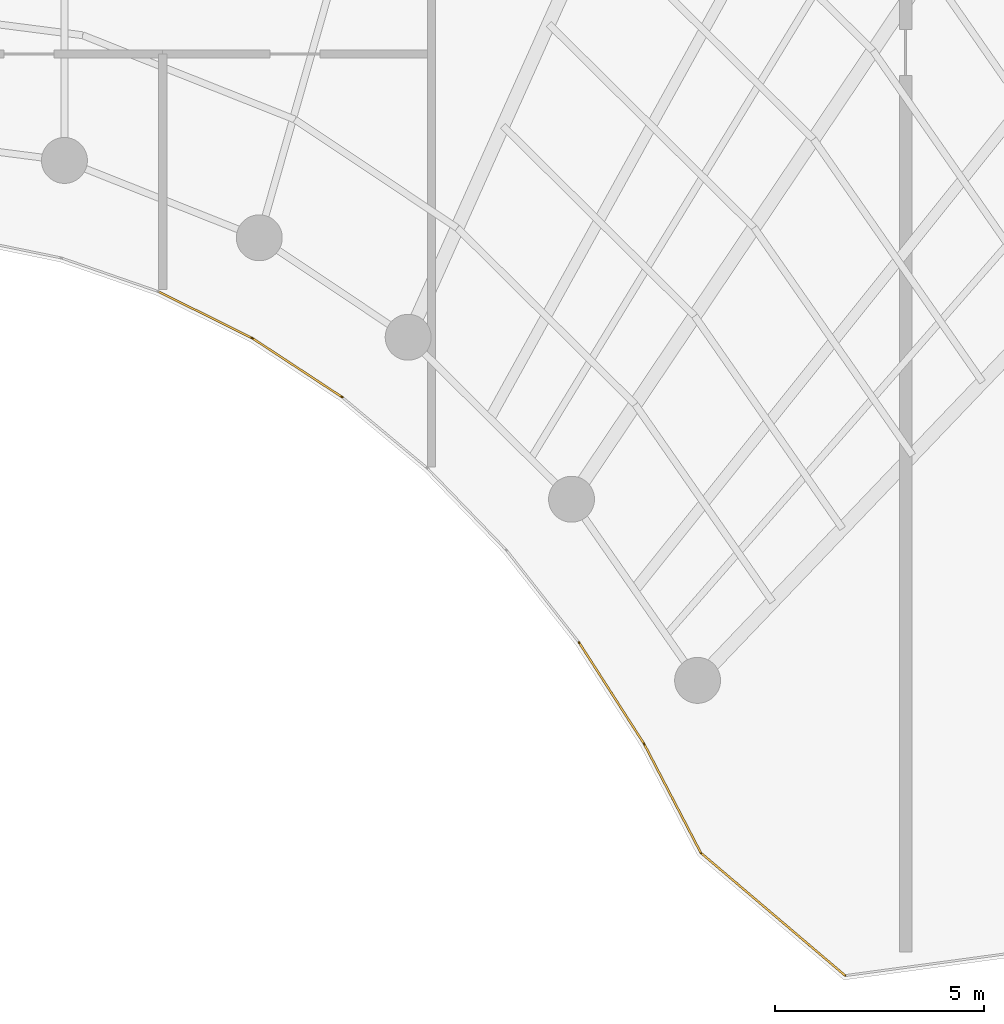
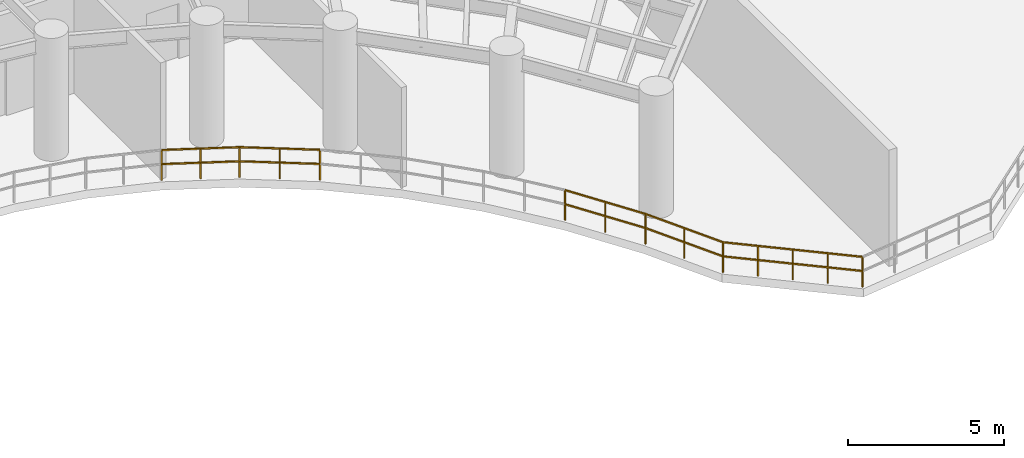
# One storey, part 14 of 19: 9 railings.
"""IFC4 building model written with IfcOpenShell, lengths in metres."""

from ifc_helpers import new_model, si_unit, direction, frame, origin, origin_2d, place, context, subcontext, project, spatial, rectangle, extrude, material, type_object, element, save


model = new_model("IFC4")

# Units and contexts
model_context = context("Model", 3, precision=1e-05, world=origin(), true_north=direction((0.0, 1.0)))
body_context = subcontext(model_context, "Body", "Model", "MODEL_VIEW")
ifc_project = project(units=[si_unit("LENGTHUNIT", "METRE"), si_unit("AREAUNIT", "SQUARE_METRE"), si_unit("VOLUMEUNIT", "CUBIC_METRE"), si_unit("PLANEANGLEUNIT", "RADIAN"), si_unit("MASSUNIT", "GRAM", prefix="KILO")], contexts=[model_context])

# Site, building, storey
site_placement = place(None, origin())
site = spatial("IfcSite", under=ifc_project, at=site_placement, CompositionType="ELEMENT")
building_placement = place(site_placement, origin())
building = spatial("IfcBuilding", under=site, at=building_placement, Name="Breltana Convention Tower", CompositionType="ELEMENT")
storey_placement = place(building_placement, frame((0.0, 0.0, 194.39990234375)))
storey = spatial("IfcBuildingStorey", under=building, at=storey_placement, Name="L47", CompositionType="ELEMENT", Elevation=194.39990234375)

# Railings
ifc_material = material(Name="Stainless Steel 316L", Category="steel")
railing_type = type_object("IfcRailingType", Name="RL-WIND-GUARD-1200", PredefinedType="BALUSTRADE", material=ifc_material)
railing_1_placement = place(storey_placement, frame((71.552001953125, 35.881591796875, 0.0)))
element("IfcRailing", 1, at=railing_1_placement, inside=storey, type_object=railing_type, Name="L47 perimeter balustrade 5", PredefinedType="BALUSTRADE", context=body_context, shape_type="SweptSolid", body=[
    extrude(rectangle(XDim=0.048095703125, YDim=0.048095703125, at=origin_2d()), frame((0.0, 0.0, 1.17578125), z_axis=(-0.761888889081, 0.647707743273, 0.0), x_axis=(-0.647707743273, -0.761888889081, 0.0)), (0.0, 0.0, 1.0), 4.539306640625),
    extrude(rectangle(XDim=0.048095703125, YDim=0.048095703125, at=origin_2d()), frame((0.0, 0.0, 0.6240234375), z_axis=(-0.761888889081, 0.647707743273, 0.0), x_axis=(-0.647707743273, -0.761888889081, 0.0)), (0.0, 0.0, 1.0), 4.539306640625),
    extrude(rectangle(XDim=0.0419921875, YDim=0.0419921875, at=origin_2d()), origin(), (0.0, 0.0, 1.0), 1.15185546875),
    extrude(rectangle(XDim=0.0419921875, YDim=0.0419921875, at=origin_2d()), frame((-0.86474609375, 0.735107421875, 0.0)), (0.0, 0.0, 1.0), 1.15185546875),
    extrude(rectangle(XDim=0.0419921875, YDim=0.0419921875, at=origin_2d()), frame((-1.729248046875, 1.47021484375, 0.0)), (0.0, 0.0, 1.0), 1.15185546875),
    extrude(rectangle(XDim=0.0419921875, YDim=0.0419921875, at=origin_2d()), frame((-2.59375, 2.205078125, 0.0)), (0.0, 0.0, 1.0), 1.15185546875),
    extrude(rectangle(XDim=0.0419921875, YDim=0.0419921875, at=origin_2d()), frame((-3.45849609375, 2.940185546875, 0.0)), (0.0, 0.0, 1.0), 1.15185546875),
])
railing_2_placement = place(storey_placement, frame((68.093505859375, 38.82177734375, 0.0)))
element("IfcRailing", 2, at=railing_2_placement, inside=storey, type_object=railing_type, Name="L47 perimeter balustrade 6", PredefinedType="BALUSTRADE", context=body_context, shape_type="SweptSolid", body=[
    extrude(rectangle(XDim=0.048095703125, YDim=0.048095703125, at=origin_2d()), frame((0.0, 0.0, 1.17578125), z_axis=(-0.461773777633, 0.886997732968, 0.0), x_axis=(-0.886997732968, -0.461773777633, 0.0)), (0.0, 0.0, 1.0), 2.93896484375),
    extrude(rectangle(XDim=0.048095703125, YDim=0.048095703125, at=origin_2d()), frame((0.0, 0.0, 0.6240234375), z_axis=(-0.461773777633, 0.886997732968, 0.0), x_axis=(-0.886997732968, -0.461773777633, 0.0)), (0.0, 0.0, 1.0), 2.93896484375),
    extrude(rectangle(XDim=0.0419921875, YDim=0.0419921875, at=origin_2d()), origin(), (0.0, 0.0, 1.0), 1.15185546875),
    extrude(rectangle(XDim=0.0419921875, YDim=0.0419921875, at=origin_2d()), frame((-0.6787109375, 1.303466796875, 0.0)), (0.0, 0.0, 1.0), 1.15185546875),
    extrude(rectangle(XDim=0.0419921875, YDim=0.0419921875, at=origin_2d()), frame((-1.357177734375, 2.60693359375, 0.0)), (0.0, 0.0, 1.0), 1.15185546875),
])
railing_3_placement = place(storey_placement, frame((66.736328125, 41.4287109375, 0.0)))
element("IfcRailing", 3, at=railing_3_placement, inside=storey, type_object=railing_type, Name="L47 perimeter balustrade 7", PredefinedType="BALUSTRADE", context=body_context, shape_type="SweptSolid", body=[
    extrude(rectangle(XDim=0.048095703125, YDim=0.048095703125, at=origin_2d()), frame((0.0, 0.0, 1.17578125), z_axis=(-0.490261239633, 0.871575537125, 0.0), x_axis=(-0.871575537125, -0.490261239633, 0.0)), (0.0, 0.0, 1.0), 0.009033203125),
    extrude(rectangle(XDim=0.048095703125, YDim=0.048095703125, at=origin_2d()), frame((0.0, 0.0, 0.6240234375), z_axis=(-0.490261239633, 0.871575537125, 0.0), x_axis=(-0.871575537125, -0.490261239633, 0.0)), (0.0, 0.0, 1.0), 0.009033203125),
    extrude(rectangle(XDim=0.0419921875, YDim=0.0419921875, at=origin_2d()), origin(), (0.0, 0.0, 1.0), 1.15185546875),
    extrude(rectangle(XDim=0.0419921875, YDim=0.0419921875, at=origin_2d()), frame((-0.00439453125, 0.0078125, 0.0)), (0.0, 0.0, 1.0), 1.15185546875),
])
railing_4_placement = place(storey_placement, frame((66.73193359375, 41.4365234375, 0.0)))
element("IfcRailing", 4, at=railing_4_placement, inside=storey, type_object=railing_type, Name="L47 perimeter balustrade 8", PredefinedType="BALUSTRADE", context=body_context, shape_type="SweptSolid", body=[
    extrude(rectangle(XDim=0.048095703125, YDim=0.048095703125, at=origin_2d()), frame((0.0, 0.0, 1.17578125), z_axis=(-0.540153919995, 0.841566243806, 0.0), x_axis=(-0.841566243806, -0.540153919995, 0.0)), (0.0, 0.0, 1.0), 2.8828125),
    extrude(rectangle(XDim=0.048095703125, YDim=0.048095703125, at=origin_2d()), frame((0.0, 0.0, 0.6240234375), z_axis=(-0.540153919995, 0.841566243806, 0.0), x_axis=(-0.841566243806, -0.540153919995, 0.0)), (0.0, 0.0, 1.0), 2.8828125),
    extrude(rectangle(XDim=0.0419921875, YDim=0.0419921875, at=origin_2d()), origin(), (0.0, 0.0, 1.0), 1.15185546875),
    extrude(rectangle(XDim=0.0419921875, YDim=0.0419921875, at=origin_2d()), frame((-0.778564453125, 1.212890625, 0.0)), (0.0, 0.0, 1.0), 1.15185546875),
    extrude(rectangle(XDim=0.0419921875, YDim=0.0419921875, at=origin_2d()), frame((-1.55712890625, 2.426025390625, 0.0)), (0.0, 0.0, 1.0), 1.15185546875),
])
railing_5_placement = place(storey_placement, frame((65.1748046875, 43.862548828125, 0.0)))
element("IfcRailing", 5, at=railing_5_placement, inside=storey, type_object=railing_type, Name="L47 perimeter balustrade 9", PredefinedType="BALUSTRADE", context=body_context, shape_type="SweptSolid", body=[
    extrude(rectangle(XDim=0.048095703125, YDim=0.048095703125, at=origin_2d()), frame((0.0, 0.0, 1.17578125), z_axis=(-0.583636048153, 0.812015371343, 0.0), x_axis=(-0.812015371343, -0.583636048153, 0.0)), (0.0, 0.0, 1.0), 0.009521484375),
    extrude(rectangle(XDim=0.048095703125, YDim=0.048095703125, at=origin_2d()), frame((0.0, 0.0, 0.6240234375), z_axis=(-0.583636048153, 0.812015371343, 0.0), x_axis=(-0.812015371343, -0.583636048153, 0.0)), (0.0, 0.0, 1.0), 0.009521484375),
    extrude(rectangle(XDim=0.0419921875, YDim=0.0419921875, at=origin_2d()), origin(), (0.0, 0.0, 1.0), 1.15185546875),
    extrude(rectangle(XDim=0.0419921875, YDim=0.0419921875, at=origin_2d()), frame((-0.005615234375, 0.0078125, 0.0)), (0.0, 0.0, 1.0), 1.15185546875),
])
railing_6_placement = place(storey_placement, frame((59.505615234375, 49.73583984375, 0.0)))
element("IfcRailing", 6, at=railing_6_placement, inside=storey, type_object=railing_type, Name="L47 perimeter balustrade 15", PredefinedType="BALUSTRADE", context=body_context, shape_type="SweptSolid", body=[
    extrude(rectangle(XDim=0.048095703125, YDim=0.048095703125, at=origin_2d()), frame((0.0, 0.0, 1.17578125), z_axis=(-0.805055837353, 0.59319903805, 0.0), x_axis=(-0.59319903805, -0.805055837353, 0.0)), (0.0, 0.0, 1.0), 0.011474609375),
    extrude(rectangle(XDim=0.048095703125, YDim=0.048095703125, at=origin_2d()), frame((0.0, 0.0, 0.6240234375), z_axis=(-0.805055837353, 0.59319903805, 0.0), x_axis=(-0.59319903805, -0.805055837353, 0.0)), (0.0, 0.0, 1.0), 0.011474609375),
    extrude(rectangle(XDim=0.0419921875, YDim=0.0419921875, at=origin_2d()), origin(), (0.0, 0.0, 1.0), 1.15185546875),
    extrude(rectangle(XDim=0.0419921875, YDim=0.0419921875, at=origin_2d()), frame((-0.00927734375, 0.0068359375, 0.0)), (0.0, 0.0, 1.0), 1.15185546875),
])
railing_7_placement = place(storey_placement, frame((59.496337890625, 49.74267578125, 0.0)))
element("IfcRailing", 7, at=railing_7_placement, inside=storey, type_object=railing_type, Name="L47 perimeter balustrade 16", PredefinedType="BALUSTRADE", context=body_context, shape_type="SweptSolid", body=[
    extrude(rectangle(XDim=0.048095703125, YDim=0.048095703125, at=origin_2d()), frame((0.0, 0.0, 1.17578125), z_axis=(-0.835982422009, 0.548756221005, 0.0), x_axis=(-0.548756221005, -0.835982422009, 0.0)), (0.0, 0.0, 1.0), 2.565185546875),
    extrude(rectangle(XDim=0.048095703125, YDim=0.048095703125, at=origin_2d()), frame((0.0, 0.0, 0.6240234375), z_axis=(-0.835982422009, 0.548756221005, 0.0), x_axis=(-0.548756221005, -0.835982422009, 0.0)), (0.0, 0.0, 1.0), 2.565185546875),
    extrude(rectangle(XDim=0.0419921875, YDim=0.0419921875, at=origin_2d()), origin(), (0.0, 0.0, 1.0), 1.15185546875),
    extrude(rectangle(XDim=0.0419921875, YDim=0.0419921875, at=origin_2d()), frame((-1.072265625, 0.703857421875, 0.0)), (0.0, 0.0, 1.0), 1.15185546875),
    extrude(rectangle(XDim=0.0419921875, YDim=0.0419921875, at=origin_2d()), frame((-2.14453125, 1.40771484375, 0.0)), (0.0, 0.0, 1.0), 1.15185546875),
])
railing_8_placement = place(storey_placement, frame((57.351806640625, 51.150390625, 0.0)))
element("IfcRailing", 8, at=railing_8_placement, inside=storey, type_object=railing_type, Name="L47 perimeter balustrade 17", PredefinedType="BALUSTRADE", context=body_context, shape_type="SweptSolid", body=[
    extrude(rectangle(XDim=0.048095703125, YDim=0.048095703125, at=origin_2d()), frame((0.0, 0.0, 1.17578125), z_axis=(-0.873197702015, 0.487366159264, 0.0), x_axis=(-0.487366159264, -0.873197702015, 0.0)), (0.0, 0.0, 1.0), 0.011962890625),
    extrude(rectangle(XDim=0.048095703125, YDim=0.048095703125, at=origin_2d()), frame((0.0, 0.0, 0.6240234375), z_axis=(-0.873197702015, 0.487366159264, 0.0), x_axis=(-0.487366159264, -0.873197702015, 0.0)), (0.0, 0.0, 1.0), 0.011962890625),
    extrude(rectangle(XDim=0.0419921875, YDim=0.0419921875, at=origin_2d()), origin(), (0.0, 0.0, 1.0), 1.15185546875),
    extrude(rectangle(XDim=0.0419921875, YDim=0.0419921875, at=origin_2d()), frame((-0.010498046875, 0.005859375, 0.0)), (0.0, 0.0, 1.0), 1.15185546875),
])
railing_9_placement = place(storey_placement, frame((57.34130859375, 51.15625, 0.0)))
element("IfcRailing", 9, at=railing_9_placement, inside=storey, type_object=railing_type, Name="L47 perimeter balustrade 18", PredefinedType="BALUSTRADE", context=body_context, shape_type="SweptSolid", body=[
    extrude(rectangle(XDim=0.048095703125, YDim=0.048095703125, at=origin_2d()), frame((0.0, 0.0, 1.17578125), z_axis=(-0.895926249068, 0.444202832308, 0.0), x_axis=(-0.444202832308, -0.895926249068, 0.0)), (0.0, 0.0, 1.0), 2.499755859375),
    extrude(rectangle(XDim=0.048095703125, YDim=0.048095703125, at=origin_2d()), frame((0.0, 0.0, 0.6240234375), z_axis=(-0.895926249068, 0.444202832308, 0.0), x_axis=(-0.444202832308, -0.895926249068, 0.0)), (0.0, 0.0, 1.0), 2.499755859375),
    extrude(rectangle(XDim=0.0419921875, YDim=0.0419921875, at=origin_2d()), origin(), (0.0, 0.0, 1.0), 1.15185546875),
    extrude(rectangle(XDim=0.0419921875, YDim=0.0419921875, at=origin_2d()), frame((-1.11962890625, 0.55517578125, 0.0)), (0.0, 0.0, 1.0), 1.15185546875),
    extrude(rectangle(XDim=0.0419921875, YDim=0.0419921875, at=origin_2d()), frame((-2.239501953125, 1.1103515625, 0.0)), (0.0, 0.0, 1.0), 1.15185546875),
])

save(model, "model.ifc")
